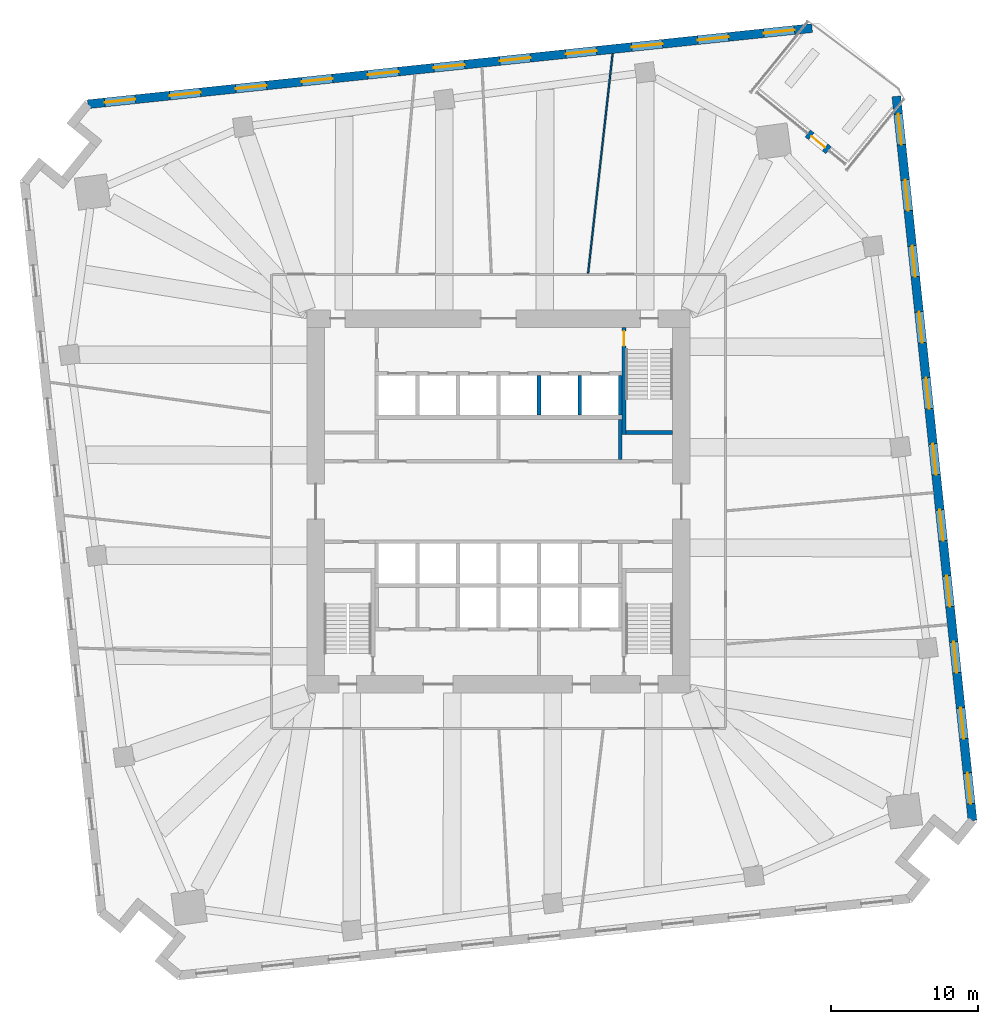
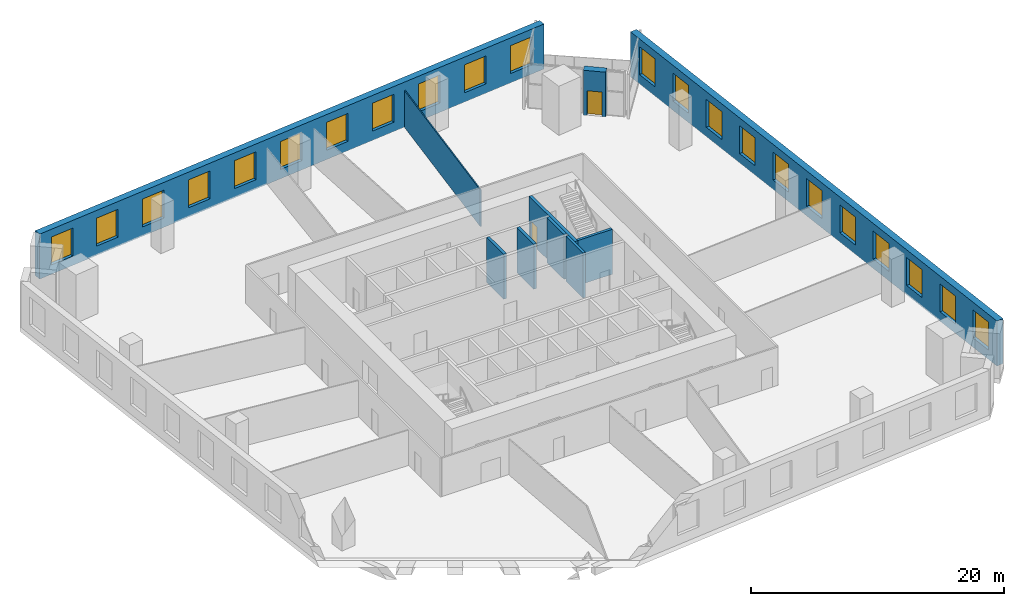
# One storey, part 7 of 10: 22 windows, 10 walls, 2 doors, 24 openings.
"""IFC4 building model written with IfcOpenShell, lengths in metres."""

from ifc_helpers import new_model, si_unit, direction, frame, frame_2d, origin, place, context, subcontext, project, spatial, rectangle, extrude, material, layer, layer_set, type_object, element, fill, save


model = new_model("IFC4")

# Units and contexts
model_context = context("Model", 3, precision=1e-05, world=origin(), true_north=direction((0.0, 1.0)))
body_context = subcontext(model_context, "Body", "Model", "MODEL_VIEW")
ifc_project = project(units=[si_unit("LENGTHUNIT", "METRE"), si_unit("AREAUNIT", "SQUARE_METRE"), si_unit("VOLUMEUNIT", "CUBIC_METRE"), si_unit("PLANEANGLEUNIT", "RADIAN"), si_unit("MASSUNIT", "GRAM", prefix="KILO")], contexts=[model_context])

# Site, building, storey
site_placement = place(None, origin())
site = spatial("IfcSite", under=ifc_project, at=site_placement, CompositionType="ELEMENT")
building_placement = place(site_placement, origin())
building = spatial("IfcBuilding", under=site, at=building_placement, Name="Dilmun Exchange Tower", CompositionType="ELEMENT")
storey_placement = place(building_placement, frame((0.0, 0.0, 36.89990234375)))
storey = spatial("IfcBuildingStorey", under=building, at=storey_placement, Name="L08", CompositionType="ELEMENT", Elevation=36.89990234375)

# Walls
ifc_material_1 = material(Name="Concrete C40/50", Category="concrete")
ifc_layer_1 = layer(ifc_material_1, 0.25)
ifc_layer_set_1 = layer_set([ifc_layer_1], Name="Concrete C40/50")
wall_type_1 = type_object("IfcWallType", Name="Core partition wall 250", PredefinedType="PARTITIONING", material=ifc_layer_set_1)
wall_1_placement = place(storey_placement, frame((8.25, 2.85498046875, 0.0), z_axis=(0.0, 0.0, 1.0), x_axis=(0.0, 1.0, 0.0)))
element("IfcWall", 1, at=wall_1_placement, inside=storey, type_object=wall_type_1, Name="L08 core partition wall 11", PredefinedType="PARTITIONING", context=body_context, shape_type="SweptSolid", body=[
    extrude(rectangle(XDim=2.68994140625, YDim=0.25, at=frame_2d((1.344970703125, 0.0))), origin(), (0.0, 0.0, 1.0), 4.35009765625),
])
ifc_layer_2 = layer(ifc_material_1, 0.25)
ifc_layer_set_2 = layer_set([ifc_layer_2], Name="Concrete C40/50")
wall_type_2 = type_object("IfcWallType", Name="Lift shaft wall 250", PredefinedType="SOLIDWALL", material=ifc_layer_set_2)
for number, where, z_axis, x_axis, name in (
    (2, (2.75, 5.85009765625, 0.0), (0.0, 0.0, 1.0), (0.0, 1.0, 0.0), "L08 lift shaft divider N24"),
    (3, (5.5, 5.85009765625, 0.0), (0.0, 0.0, 1.0), (0.0, 1.0, 0.0), "L08 lift shaft divider N25"),
    (4, (8.25, 5.85009765625, 0.0), (0.0, 0.0, 1.0), (0.0, 1.0, 0.0), "L08 lift shaft divider N26"),
):
    element("IfcWall", number, at=place(storey_placement, frame(where, z_axis=z_axis, x_axis=x_axis)), inside=storey, type_object=wall_type_2, Name=name, PredefinedType="SOLIDWALL", context=body_context, shape_type="SweptSolid", body=[
        extrude(rectangle(XDim=2.699951171875, YDim=0.25, at=frame_2d((1.35009765625, 0.0))), origin(), (0.0, 0.0, 1.0), 4.35009765625),
    ])
ifc_material_2 = material(Name="Partition 100")
ifc_layer_3 = layer(ifc_material_2, 0.10009765625)
ifc_layer_set_3 = layer_set([ifc_layer_3], Name="Partition 100")
wall_type_3 = type_object("IfcWallType", Name="Partition 100", PredefinedType="PARTITIONING", material=ifc_layer_set_3)
wall_2_placement = place(storey_placement, frame((6.073974609375, 15.48046875, 0.0), z_axis=(0.0, 0.0, 1.0), x_axis=(0.110950080777, 0.99382598053, 0.0)))
element("IfcWall", 5, at=wall_2_placement, inside=storey, type_object=wall_type_3, Name="Partition", PredefinedType="PARTITIONING", context=body_context, shape_type="SweptSolid", body=[
    extrude(rectangle(XDim=14.985107421875, YDim=0.10009765625, at=frame_2d((7.49267578125, 0.0))), origin(), (0.0, 0.0, 1.0), 3.550048828125),
])

# Wall, openings, windows
ifc_material_3 = material(Name="Precast concrete C50/60", Category="concrete")
ifc_layer_4 = layer(ifc_material_3, 0.60009765625)
ifc_layer_set_4 = layer_set([ifc_layer_4], Name="Precast concrete C50/60")
wall_type_4 = type_object("IfcWallType", Name="Precast stone-clad wall 600", PredefinedType="STANDARD", material=ifc_layer_set_4)
wall_3_placement = place(storey_placement, frame((21.26123046875, 32.09814453125, 0.0), z_axis=(0.0, 0.0, 1.0), x_axis=(-0.994521967515, -0.104527776833, 0.0)))
wall_3 = element("IfcWall", 6, at=wall_3_placement, inside=storey, type_object=wall_type_4, Name="Facade wall L08-03", PredefinedType="STANDARD", context=body_context, shape_type="SweptSolid", body=[
    extrude(rectangle(XDim=49.375732421875, YDim=0.60009765625, at=frame_2d((24.68798828125, 0.0))), origin(), (0.0, 0.0, 1.0), 4.35009765625),
])
opening_1_placement = place(wall_3_placement, frame((1.199951171875, 0.0, 0.89990234375)))
opening_1 = element("IfcOpeningElement", 7, at=opening_1_placement, cuts=wall_3, Name="Opening W210-270", PredefinedType="OPENING", context=body_context, shape_type="SweptSolid", body=[
    extrude(rectangle(XDim=2.10009765625, YDim=2.699951171875, at=frame_2d((1.050048828125, 1.35009765625))), frame((0.0, 0.31005859375, 0.0), z_axis=(0.0, -1.0, 0.0), x_axis=(1.0, 0.0, 0.0)), (0.0, 0.0, 1.0), 0.6201171875),
])
opening_2_placement = place(wall_3_placement, frame((5.699951171875, 0.0, 0.89990234375)))
opening_2 = element("IfcOpeningElement", 8, at=opening_2_placement, cuts=wall_3, Name="Opening W210-270", PredefinedType="OPENING", context=body_context, shape_type="SweptSolid", body=[
    extrude(rectangle(XDim=2.10009765625, YDim=2.699951171875, at=frame_2d((1.050048828125, 1.35009765625))), frame((0.0, 0.31005859375, 0.0), z_axis=(0.0, -1.0, 0.0), x_axis=(1.0, 0.0, 0.0)), (0.0, 0.0, 1.0), 0.6201171875),
])
opening_3_placement = place(wall_3_placement, frame((10.199951171875, 0.0, 0.89990234375)))
opening_3 = element("IfcOpeningElement", 9, at=opening_3_placement, cuts=wall_3, Name="Opening W210-270", PredefinedType="OPENING", context=body_context, shape_type="SweptSolid", body=[
    extrude(rectangle(XDim=2.10009765625, YDim=2.699951171875, at=frame_2d((1.050048828125, 1.35009765625))), frame((0.0, 0.31005859375, 0.0), z_axis=(0.0, -1.0, 0.0), x_axis=(1.0, 0.0, 0.0)), (0.0, 0.0, 1.0), 0.6201171875),
])
opening_4_placement = place(wall_3_placement, frame((14.699951171875, 0.0, 0.89990234375)))
opening_4 = element("IfcOpeningElement", 10, at=opening_4_placement, cuts=wall_3, Name="Opening W210-270", PredefinedType="OPENING", context=body_context, shape_type="SweptSolid", body=[
    extrude(rectangle(XDim=2.10009765625, YDim=2.699951171875, at=frame_2d((1.050048828125, 1.35009765625))), frame((0.0, 0.31005859375, 0.0), z_axis=(0.0, -1.0, 0.0), x_axis=(1.0, 0.0, 0.0)), (0.0, 0.0, 1.0), 0.6201171875),
])
opening_5_placement = place(wall_3_placement, frame((19.199951171875, 0.0, 0.89990234375)))
opening_5 = element("IfcOpeningElement", 11, at=opening_5_placement, cuts=wall_3, Name="Opening W210-270", PredefinedType="OPENING", context=body_context, shape_type="SweptSolid", body=[
    extrude(rectangle(XDim=2.10009765625, YDim=2.699951171875, at=frame_2d((1.050048828125, 1.35009765625))), frame((0.0, 0.31005859375, 0.0), z_axis=(0.0, -1.0, 0.0), x_axis=(1.0, 0.0, 0.0)), (0.0, 0.0, 1.0), 0.6201171875),
])
opening_6_placement = place(wall_3_placement, frame((23.699951171875, 0.0, 0.89990234375)))
opening_6 = element("IfcOpeningElement", 12, at=opening_6_placement, cuts=wall_3, Name="Opening W210-270", PredefinedType="OPENING", context=body_context, shape_type="SweptSolid", body=[
    extrude(rectangle(XDim=2.10009765625, YDim=2.699951171875, at=frame_2d((1.050048828125, 1.35009765625))), frame((0.0, 0.31005859375, 0.0), z_axis=(0.0, -1.0, 0.0), x_axis=(1.0, 0.0, 0.0)), (0.0, 0.0, 1.0), 0.6201171875),
])
opening_7_placement = place(wall_3_placement, frame((28.199951171875, 0.0, 0.89990234375)))
opening_7 = element("IfcOpeningElement", 13, at=opening_7_placement, cuts=wall_3, Name="Opening W210-270", PredefinedType="OPENING", context=body_context, shape_type="SweptSolid", body=[
    extrude(rectangle(XDim=2.10009765625, YDim=2.699951171875, at=frame_2d((1.050048828125, 1.35009765625))), frame((0.0, 0.31005859375, 0.0), z_axis=(0.0, -1.0, 0.0), x_axis=(1.0, 0.0, 0.0)), (0.0, 0.0, 1.0), 0.6201171875),
])
opening_8_placement = place(wall_3_placement, frame((32.699951171875, 0.0, 0.89990234375)))
opening_8 = element("IfcOpeningElement", 14, at=opening_8_placement, cuts=wall_3, Name="Opening W210-270", PredefinedType="OPENING", context=body_context, shape_type="SweptSolid", body=[
    extrude(rectangle(XDim=2.10009765625, YDim=2.699951171875, at=frame_2d((1.050048828125, 1.35009765625))), frame((0.0, 0.31005859375, 0.0), z_axis=(0.0, -1.0, 0.0), x_axis=(1.0, 0.0, 0.0)), (0.0, 0.0, 1.0), 0.6201171875),
])
opening_9_placement = place(wall_3_placement, frame((37.199951171875, 0.0, 0.89990234375)))
opening_9 = element("IfcOpeningElement", 15, at=opening_9_placement, cuts=wall_3, Name="Opening W210-270", PredefinedType="OPENING", context=body_context, shape_type="SweptSolid", body=[
    extrude(rectangle(XDim=2.10009765625, YDim=2.699951171875, at=frame_2d((1.050048828125, 1.35009765625))), frame((0.0, 0.31005859375, 0.0), z_axis=(0.0, -1.0, 0.0), x_axis=(1.0, 0.0, 0.0)), (0.0, 0.0, 1.0), 0.6201171875),
])
opening_10_placement = place(wall_3_placement, frame((41.699951171875, 0.0, 0.89990234375)))
opening_10 = element("IfcOpeningElement", 16, at=opening_10_placement, cuts=wall_3, Name="Opening W210-270", PredefinedType="OPENING", context=body_context, shape_type="SweptSolid", body=[
    extrude(rectangle(XDim=2.10009765625, YDim=2.699951171875, at=frame_2d((1.050048828125, 1.35009765625))), frame((0.0, 0.31005859375, 0.0), z_axis=(0.0, -1.0, 0.0), x_axis=(1.0, 0.0, 0.0)), (0.0, 0.0, 1.0), 0.6201171875),
])
opening_11_placement = place(wall_3_placement, frame((46.137939453125, 0.0, 0.89990234375)))
opening_11 = element("IfcOpeningElement", 17, at=opening_11_placement, cuts=wall_3, Name="Opening W210-270", PredefinedType="OPENING", context=body_context, shape_type="SweptSolid", body=[
    extrude(rectangle(XDim=2.10009765625, YDim=2.699951171875, at=frame_2d((1.050048828125, 1.35009765625))), frame((0.0, 0.31005859375, 0.0), z_axis=(0.0, -1.0, 0.0), x_axis=(1.0, 0.0, 0.0)), (0.0, 0.0, 1.0), 0.6201171875),
])
ifc_material_4 = material(Name="Clear low-emissivity glass in aluminium frame", Category="aluminium")
window_type = type_object("IfcWindowType", Name="Punched window 2100 x 2700", PartitioningType="DOUBLE_PANEL_VERTICAL", PredefinedType="WINDOW", material=ifc_material_4)
window_1_placement = place(opening_1_placement, origin())
window_1 = element("IfcWindow", 18, at=window_1_placement, inside=storey, type_object=window_type, Name="Window 4.1", OverallHeight=2.699951171875, OverallWidth=2.10009765625, PartitioningType="SINGLE_PANEL", PredefinedType="WINDOW", context=body_context, shape_type="SweptSolid", body=[
    extrude(rectangle(XDim=2.10009765625, YDim=2.699951171875, at=frame_2d((1.050048828125, 1.35009765625))), frame((0.0, 0.030029296875, 0.0), z_axis=(0.0, -1.0, 0.0), x_axis=(1.0, 0.0, 0.0)), (0.0, 0.0, 1.0), 0.06005859375),
])
fill(opening_1, window_1)
window_2_placement = place(opening_2_placement, origin())
window_2 = element("IfcWindow", 19, at=window_2_placement, inside=storey, type_object=window_type, Name="Window 4.2", OverallHeight=2.699951171875, OverallWidth=2.10009765625, PartitioningType="SINGLE_PANEL", PredefinedType="WINDOW", context=body_context, shape_type="SweptSolid", body=[
    extrude(rectangle(XDim=2.10009765625, YDim=2.699951171875, at=frame_2d((1.050048828125, 1.35009765625))), frame((0.0, 0.030029296875, 0.0), z_axis=(0.0, -1.0, 0.0), x_axis=(1.0, 0.0, 0.0)), (0.0, 0.0, 1.0), 0.06005859375),
])
fill(opening_2, window_2)
window_3_placement = place(opening_3_placement, origin())
window_3 = element("IfcWindow", 20, at=window_3_placement, inside=storey, type_object=window_type, Name="Window 4.3", OverallHeight=2.699951171875, OverallWidth=2.10009765625, PartitioningType="SINGLE_PANEL", PredefinedType="WINDOW", context=body_context, shape_type="SweptSolid", body=[
    extrude(rectangle(XDim=2.10009765625, YDim=2.699951171875, at=frame_2d((1.050048828125, 1.35009765625))), frame((0.0, 0.030029296875, 0.0), z_axis=(0.0, -1.0, 0.0), x_axis=(1.0, 0.0, 0.0)), (0.0, 0.0, 1.0), 0.06005859375),
])
fill(opening_3, window_3)
window_4_placement = place(opening_4_placement, origin())
window_4 = element("IfcWindow", 21, at=window_4_placement, inside=storey, type_object=window_type, Name="Window 4.4", OverallHeight=2.699951171875, OverallWidth=2.10009765625, PartitioningType="SINGLE_PANEL", PredefinedType="WINDOW", context=body_context, shape_type="SweptSolid", body=[
    extrude(rectangle(XDim=2.10009765625, YDim=2.699951171875, at=frame_2d((1.050048828125, 1.35009765625))), frame((0.0, 0.030029296875, 0.0), z_axis=(0.0, -1.0, 0.0), x_axis=(1.0, 0.0, 0.0)), (0.0, 0.0, 1.0), 0.06005859375),
])
fill(opening_4, window_4)
window_5_placement = place(opening_5_placement, origin())
window_5 = element("IfcWindow", 22, at=window_5_placement, inside=storey, type_object=window_type, Name="Window 4.5", OverallHeight=2.699951171875, OverallWidth=2.10009765625, PartitioningType="SINGLE_PANEL", PredefinedType="WINDOW", context=body_context, shape_type="SweptSolid", body=[
    extrude(rectangle(XDim=2.10009765625, YDim=2.699951171875, at=frame_2d((1.050048828125, 1.35009765625))), frame((0.0, 0.030029296875, 0.0), z_axis=(0.0, -1.0, 0.0), x_axis=(1.0, 0.0, 0.0)), (0.0, 0.0, 1.0), 0.06005859375),
])
fill(opening_5, window_5)
window_6_placement = place(opening_6_placement, origin())
window_6 = element("IfcWindow", 23, at=window_6_placement, inside=storey, type_object=window_type, Name="Window 4.6", OverallHeight=2.699951171875, OverallWidth=2.10009765625, PartitioningType="SINGLE_PANEL", PredefinedType="WINDOW", context=body_context, shape_type="SweptSolid", body=[
    extrude(rectangle(XDim=2.10009765625, YDim=2.699951171875, at=frame_2d((1.050048828125, 1.35009765625))), frame((0.0, 0.030029296875, 0.0), z_axis=(0.0, -1.0, 0.0), x_axis=(1.0, 0.0, 0.0)), (0.0, 0.0, 1.0), 0.06005859375),
])
fill(opening_6, window_6)
window_7_placement = place(opening_7_placement, origin())
window_7 = element("IfcWindow", 24, at=window_7_placement, inside=storey, type_object=window_type, Name="Window 4.7", OverallHeight=2.699951171875, OverallWidth=2.10009765625, PartitioningType="SINGLE_PANEL", PredefinedType="WINDOW", context=body_context, shape_type="SweptSolid", body=[
    extrude(rectangle(XDim=2.10009765625, YDim=2.699951171875, at=frame_2d((1.050048828125, 1.35009765625))), frame((0.0, 0.030029296875, 0.0), z_axis=(0.0, -1.0, 0.0), x_axis=(1.0, 0.0, 0.0)), (0.0, 0.0, 1.0), 0.06005859375),
])
fill(opening_7, window_7)
window_8_placement = place(opening_8_placement, origin())
window_8 = element("IfcWindow", 25, at=window_8_placement, inside=storey, type_object=window_type, Name="Window 4.8", OverallHeight=2.699951171875, OverallWidth=2.10009765625, PartitioningType="SINGLE_PANEL", PredefinedType="WINDOW", context=body_context, shape_type="SweptSolid", body=[
    extrude(rectangle(XDim=2.10009765625, YDim=2.699951171875, at=frame_2d((1.050048828125, 1.35009765625))), frame((0.0, 0.030029296875, 0.0), z_axis=(0.0, -1.0, 0.0), x_axis=(1.0, 0.0, 0.0)), (0.0, 0.0, 1.0), 0.06005859375),
])
fill(opening_8, window_8)
window_9_placement = place(opening_9_placement, origin())
window_9 = element("IfcWindow", 26, at=window_9_placement, inside=storey, type_object=window_type, Name="Window 4.9", OverallHeight=2.699951171875, OverallWidth=2.10009765625, PartitioningType="SINGLE_PANEL", PredefinedType="WINDOW", context=body_context, shape_type="SweptSolid", body=[
    extrude(rectangle(XDim=2.10009765625, YDim=2.699951171875, at=frame_2d((1.050048828125, 1.35009765625))), frame((0.0, 0.030029296875, 0.0), z_axis=(0.0, -1.0, 0.0), x_axis=(1.0, 0.0, 0.0)), (0.0, 0.0, 1.0), 0.06005859375),
])
fill(opening_9, window_9)
window_10_placement = place(opening_10_placement, origin())
window_10 = element("IfcWindow", 27, at=window_10_placement, inside=storey, type_object=window_type, Name="Window 4.10", OverallHeight=2.699951171875, OverallWidth=2.10009765625, PartitioningType="SINGLE_PANEL", PredefinedType="WINDOW", context=body_context, shape_type="SweptSolid", body=[
    extrude(rectangle(XDim=2.10009765625, YDim=2.699951171875, at=frame_2d((1.050048828125, 1.35009765625))), frame((0.0, 0.030029296875, 0.0), z_axis=(0.0, -1.0, 0.0), x_axis=(1.0, 0.0, 0.0)), (0.0, 0.0, 1.0), 0.06005859375),
])
fill(opening_10, window_10)
window_11_placement = place(opening_11_placement, origin())
window_11 = element("IfcWindow", 28, at=window_11_placement, inside=storey, type_object=window_type, Name="Window 4.11", OverallHeight=2.699951171875, OverallWidth=2.10009765625, PartitioningType="SINGLE_PANEL", PredefinedType="WINDOW", context=body_context, shape_type="SweptSolid", body=[
    extrude(rectangle(XDim=2.10009765625, YDim=2.699951171875, at=frame_2d((1.050048828125, 1.35009765625))), frame((0.0, 0.030029296875, 0.0), z_axis=(0.0, -1.0, 0.0), x_axis=(1.0, 0.0, 0.0)), (0.0, 0.0, 1.0), 0.06005859375),
])
fill(opening_11, window_11)

wall_4_placement = place(storey_placement, frame((32.137451171875, -21.635009765625, 0.0), z_axis=(0.0, 0.0, 1.0), x_axis=(-0.104527776833, 0.994521967515, 0.0)))
wall_4 = element("IfcWall", 29, at=wall_4_placement, inside=storey, type_object=wall_type_4, Name="Facade wall L08-21", PredefinedType="STANDARD", context=body_context, shape_type="SweptSolid", body=[
    extrude(rectangle(XDim=49.375732421875, YDim=0.60009765625, at=frame_2d((24.68798828125, 0.0))), origin(), (0.0, 0.0, 1.0), 4.35009765625),
])
opening_12_placement = place(wall_4_placement, frame((1.137939453125, 0.0, 0.89990234375)))
opening_12 = element("IfcOpeningElement", 30, at=opening_12_placement, cuts=wall_4, Name="Opening W210-270", PredefinedType="OPENING", context=body_context, shape_type="SweptSolid", body=[
    extrude(rectangle(XDim=2.10009765625, YDim=2.699951171875, at=frame_2d((1.050048828125, 1.35009765625))), frame((0.0, 0.31005859375, 0.0), z_axis=(0.0, -1.0, 0.0), x_axis=(1.0, 0.0, 0.0)), (0.0, 0.0, 1.0), 0.6201171875),
])
opening_13_placement = place(wall_4_placement, frame((5.57568359375, 0.0, 0.89990234375)))
opening_13 = element("IfcOpeningElement", 31, at=opening_13_placement, cuts=wall_4, Name="Opening W210-270", PredefinedType="OPENING", context=body_context, shape_type="SweptSolid", body=[
    extrude(rectangle(XDim=2.10009765625, YDim=2.699951171875, at=frame_2d((1.050048828125, 1.35009765625))), frame((0.0, 0.31005859375, 0.0), z_axis=(0.0, -1.0, 0.0), x_axis=(1.0, 0.0, 0.0)), (0.0, 0.0, 1.0), 0.6201171875),
])
opening_14_placement = place(wall_4_placement, frame((10.07568359375, 0.0, 0.89990234375)))
opening_14 = element("IfcOpeningElement", 32, at=opening_14_placement, cuts=wall_4, Name="Opening W210-270", PredefinedType="OPENING", context=body_context, shape_type="SweptSolid", body=[
    extrude(rectangle(XDim=2.10009765625, YDim=2.699951171875, at=frame_2d((1.050048828125, 1.35009765625))), frame((0.0, 0.31005859375, 0.0), z_axis=(0.0, -1.0, 0.0), x_axis=(1.0, 0.0, 0.0)), (0.0, 0.0, 1.0), 0.6201171875),
])
opening_15_placement = place(wall_4_placement, frame((14.57568359375, 0.0, 0.89990234375)))
opening_15 = element("IfcOpeningElement", 33, at=opening_15_placement, cuts=wall_4, Name="Opening W210-270", PredefinedType="OPENING", context=body_context, shape_type="SweptSolid", body=[
    extrude(rectangle(XDim=2.10009765625, YDim=2.699951171875, at=frame_2d((1.050048828125, 1.35009765625))), frame((0.0, 0.31005859375, 0.0), z_axis=(0.0, -1.0, 0.0), x_axis=(1.0, 0.0, 0.0)), (0.0, 0.0, 1.0), 0.6201171875),
])
opening_16_placement = place(wall_4_placement, frame((19.07568359375, 0.0, 0.89990234375)))
opening_16 = element("IfcOpeningElement", 34, at=opening_16_placement, cuts=wall_4, Name="Opening W210-270", PredefinedType="OPENING", context=body_context, shape_type="SweptSolid", body=[
    extrude(rectangle(XDim=2.10009765625, YDim=2.699951171875, at=frame_2d((1.050048828125, 1.35009765625))), frame((0.0, 0.31005859375, 0.0), z_axis=(0.0, -1.0, 0.0), x_axis=(1.0, 0.0, 0.0)), (0.0, 0.0, 1.0), 0.6201171875),
])
opening_17_placement = place(wall_4_placement, frame((23.57568359375, 0.0, 0.89990234375)))
opening_17 = element("IfcOpeningElement", 35, at=opening_17_placement, cuts=wall_4, Name="Opening W210-270", PredefinedType="OPENING", context=body_context, shape_type="SweptSolid", body=[
    extrude(rectangle(XDim=2.10009765625, YDim=2.699951171875, at=frame_2d((1.050048828125, 1.35009765625))), frame((0.0, 0.31005859375, 0.0), z_axis=(0.0, -1.0, 0.0), x_axis=(1.0, 0.0, 0.0)), (0.0, 0.0, 1.0), 0.6201171875),
])
opening_18_placement = place(wall_4_placement, frame((28.07568359375, 0.0, 0.89990234375)))
opening_18 = element("IfcOpeningElement", 36, at=opening_18_placement, cuts=wall_4, Name="Opening W210-270", PredefinedType="OPENING", context=body_context, shape_type="SweptSolid", body=[
    extrude(rectangle(XDim=2.10009765625, YDim=2.699951171875, at=frame_2d((1.050048828125, 1.35009765625))), frame((0.0, 0.31005859375, 0.0), z_axis=(0.0, -1.0, 0.0), x_axis=(1.0, 0.0, 0.0)), (0.0, 0.0, 1.0), 0.6201171875),
])
opening_19_placement = place(wall_4_placement, frame((32.57568359375, 0.0, 0.89990234375)))
opening_19 = element("IfcOpeningElement", 37, at=opening_19_placement, cuts=wall_4, Name="Opening W210-270", PredefinedType="OPENING", context=body_context, shape_type="SweptSolid", body=[
    extrude(rectangle(XDim=2.10009765625, YDim=2.699951171875, at=frame_2d((1.050048828125, 1.35009765625))), frame((0.0, 0.31005859375, 0.0), z_axis=(0.0, -1.0, 0.0), x_axis=(1.0, 0.0, 0.0)), (0.0, 0.0, 1.0), 0.6201171875),
])
opening_20_placement = place(wall_4_placement, frame((37.07568359375, 0.0, 0.89990234375)))
opening_20 = element("IfcOpeningElement", 38, at=opening_20_placement, cuts=wall_4, Name="Opening W210-270", PredefinedType="OPENING", context=body_context, shape_type="SweptSolid", body=[
    extrude(rectangle(XDim=2.10009765625, YDim=2.699951171875, at=frame_2d((1.050048828125, 1.35009765625))), frame((0.0, 0.31005859375, 0.0), z_axis=(0.0, -1.0, 0.0), x_axis=(1.0, 0.0, 0.0)), (0.0, 0.0, 1.0), 0.6201171875),
])
opening_21_placement = place(wall_4_placement, frame((41.57568359375, 0.0, 0.89990234375)))
opening_21 = element("IfcOpeningElement", 39, at=opening_21_placement, cuts=wall_4, Name="Opening W210-270", PredefinedType="OPENING", context=body_context, shape_type="SweptSolid", body=[
    extrude(rectangle(XDim=2.10009765625, YDim=2.699951171875, at=frame_2d((1.050048828125, 1.35009765625))), frame((0.0, 0.31005859375, 0.0), z_axis=(0.0, -1.0, 0.0), x_axis=(1.0, 0.0, 0.0)), (0.0, 0.0, 1.0), 0.6201171875),
])
opening_22_placement = place(wall_4_placement, frame((46.07568359375, 0.0, 0.89990234375)))
opening_22 = element("IfcOpeningElement", 40, at=opening_22_placement, cuts=wall_4, Name="Opening W210-270", PredefinedType="OPENING", context=body_context, shape_type="SweptSolid", body=[
    extrude(rectangle(XDim=2.10009765625, YDim=2.699951171875, at=frame_2d((1.050048828125, 1.35009765625))), frame((0.0, 0.31005859375, 0.0), z_axis=(0.0, -1.0, 0.0), x_axis=(1.0, 0.0, 0.0)), (0.0, 0.0, 1.0), 0.6201171875),
])
window_12_placement = place(opening_12_placement, origin())
window_12 = element("IfcWindow", 41, at=window_12_placement, inside=storey, type_object=window_type, Name="Window 22.1", OverallHeight=2.699951171875, OverallWidth=2.10009765625, PartitioningType="SINGLE_PANEL", PredefinedType="WINDOW", context=body_context, shape_type="SweptSolid", body=[
    extrude(rectangle(XDim=2.10009765625, YDim=2.699951171875, at=frame_2d((1.050048828125, 1.35009765625))), frame((0.0, 0.030029296875, 0.0), z_axis=(0.0, -1.0, 0.0), x_axis=(1.0, 0.0, 0.0)), (0.0, 0.0, 1.0), 0.06005859375),
])
fill(opening_12, window_12)
window_13_placement = place(opening_13_placement, origin())
window_13 = element("IfcWindow", 42, at=window_13_placement, inside=storey, type_object=window_type, Name="Window 22.2", OverallHeight=2.699951171875, OverallWidth=2.10009765625, PartitioningType="SINGLE_PANEL", PredefinedType="WINDOW", context=body_context, shape_type="SweptSolid", body=[
    extrude(rectangle(XDim=2.10009765625, YDim=2.699951171875, at=frame_2d((1.050048828125, 1.35009765625))), frame((0.0, 0.030029296875, 0.0), z_axis=(0.0, -1.0, 0.0), x_axis=(1.0, 0.0, 0.0)), (0.0, 0.0, 1.0), 0.06005859375),
])
fill(opening_13, window_13)
window_14_placement = place(opening_14_placement, origin())
window_14 = element("IfcWindow", 43, at=window_14_placement, inside=storey, type_object=window_type, Name="Window 22.3", OverallHeight=2.699951171875, OverallWidth=2.10009765625, PartitioningType="SINGLE_PANEL", PredefinedType="WINDOW", context=body_context, shape_type="SweptSolid", body=[
    extrude(rectangle(XDim=2.10009765625, YDim=2.699951171875, at=frame_2d((1.050048828125, 1.35009765625))), frame((0.0, 0.030029296875, 0.0), z_axis=(0.0, -1.0, 0.0), x_axis=(1.0, 0.0, 0.0)), (0.0, 0.0, 1.0), 0.06005859375),
])
fill(opening_14, window_14)
window_15_placement = place(opening_15_placement, origin())
window_15 = element("IfcWindow", 44, at=window_15_placement, inside=storey, type_object=window_type, Name="Window 22.4", OverallHeight=2.699951171875, OverallWidth=2.10009765625, PartitioningType="SINGLE_PANEL", PredefinedType="WINDOW", context=body_context, shape_type="SweptSolid", body=[
    extrude(rectangle(XDim=2.10009765625, YDim=2.699951171875, at=frame_2d((1.050048828125, 1.35009765625))), frame((0.0, 0.030029296875, 0.0), z_axis=(0.0, -1.0, 0.0), x_axis=(1.0, 0.0, 0.0)), (0.0, 0.0, 1.0), 0.06005859375),
])
fill(opening_15, window_15)
window_16_placement = place(opening_16_placement, origin())
window_16 = element("IfcWindow", 45, at=window_16_placement, inside=storey, type_object=window_type, Name="Window 22.5", OverallHeight=2.699951171875, OverallWidth=2.10009765625, PartitioningType="SINGLE_PANEL", PredefinedType="WINDOW", context=body_context, shape_type="SweptSolid", body=[
    extrude(rectangle(XDim=2.10009765625, YDim=2.699951171875, at=frame_2d((1.050048828125, 1.35009765625))), frame((0.0, 0.030029296875, 0.0), z_axis=(0.0, -1.0, 0.0), x_axis=(1.0, 0.0, 0.0)), (0.0, 0.0, 1.0), 0.06005859375),
])
fill(opening_16, window_16)
window_17_placement = place(opening_17_placement, origin())
window_17 = element("IfcWindow", 46, at=window_17_placement, inside=storey, type_object=window_type, Name="Window 22.6", OverallHeight=2.699951171875, OverallWidth=2.10009765625, PartitioningType="SINGLE_PANEL", PredefinedType="WINDOW", context=body_context, shape_type="SweptSolid", body=[
    extrude(rectangle(XDim=2.10009765625, YDim=2.699951171875, at=frame_2d((1.050048828125, 1.35009765625))), frame((0.0, 0.030029296875, 0.0), z_axis=(0.0, -1.0, 0.0), x_axis=(1.0, 0.0, 0.0)), (0.0, 0.0, 1.0), 0.06005859375),
])
fill(opening_17, window_17)
window_18_placement = place(opening_18_placement, origin())
window_18 = element("IfcWindow", 47, at=window_18_placement, inside=storey, type_object=window_type, Name="Window 22.7", OverallHeight=2.699951171875, OverallWidth=2.10009765625, PartitioningType="SINGLE_PANEL", PredefinedType="WINDOW", context=body_context, shape_type="SweptSolid", body=[
    extrude(rectangle(XDim=2.10009765625, YDim=2.699951171875, at=frame_2d((1.050048828125, 1.35009765625))), frame((0.0, 0.030029296875, 0.0), z_axis=(0.0, -1.0, 0.0), x_axis=(1.0, 0.0, 0.0)), (0.0, 0.0, 1.0), 0.06005859375),
])
fill(opening_18, window_18)
window_19_placement = place(opening_19_placement, origin())
window_19 = element("IfcWindow", 48, at=window_19_placement, inside=storey, type_object=window_type, Name="Window 22.8", OverallHeight=2.699951171875, OverallWidth=2.10009765625, PartitioningType="SINGLE_PANEL", PredefinedType="WINDOW", context=body_context, shape_type="SweptSolid", body=[
    extrude(rectangle(XDim=2.10009765625, YDim=2.699951171875, at=frame_2d((1.050048828125, 1.35009765625))), frame((0.0, 0.030029296875, 0.0), z_axis=(0.0, -1.0, 0.0), x_axis=(1.0, 0.0, 0.0)), (0.0, 0.0, 1.0), 0.06005859375),
])
fill(opening_19, window_19)
window_20_placement = place(opening_20_placement, origin())
window_20 = element("IfcWindow", 49, at=window_20_placement, inside=storey, type_object=window_type, Name="Window 22.9", OverallHeight=2.699951171875, OverallWidth=2.10009765625, PartitioningType="SINGLE_PANEL", PredefinedType="WINDOW", context=body_context, shape_type="SweptSolid", body=[
    extrude(rectangle(XDim=2.10009765625, YDim=2.699951171875, at=frame_2d((1.050048828125, 1.35009765625))), frame((0.0, 0.030029296875, 0.0), z_axis=(0.0, -1.0, 0.0), x_axis=(1.0, 0.0, 0.0)), (0.0, 0.0, 1.0), 0.06005859375),
])
fill(opening_20, window_20)
window_21_placement = place(opening_21_placement, origin())
window_21 = element("IfcWindow", 50, at=window_21_placement, inside=storey, type_object=window_type, Name="Window 22.10", OverallHeight=2.699951171875, OverallWidth=2.10009765625, PartitioningType="SINGLE_PANEL", PredefinedType="WINDOW", context=body_context, shape_type="SweptSolid", body=[
    extrude(rectangle(XDim=2.10009765625, YDim=2.699951171875, at=frame_2d((1.050048828125, 1.35009765625))), frame((0.0, 0.030029296875, 0.0), z_axis=(0.0, -1.0, 0.0), x_axis=(1.0, 0.0, 0.0)), (0.0, 0.0, 1.0), 0.06005859375),
])
fill(opening_21, window_21)
window_22_placement = place(opening_22_placement, origin())
window_22 = element("IfcWindow", 51, at=window_22_placement, inside=storey, type_object=window_type, Name="Window 22.11", OverallHeight=2.699951171875, OverallWidth=2.10009765625, PartitioningType="SINGLE_PANEL", PredefinedType="WINDOW", context=body_context, shape_type="SweptSolid", body=[
    extrude(rectangle(XDim=2.10009765625, YDim=2.699951171875, at=frame_2d((1.050048828125, 1.35009765625))), frame((0.0, 0.030029296875, 0.0), z_axis=(0.0, -1.0, 0.0), x_axis=(1.0, 0.0, 0.0)), (0.0, 0.0, 1.0), 0.06005859375),
])
fill(opening_22, window_22)

# Wall, opening, door
wall_5_placement = place(storey_placement, frame((22.375244140625, 23.8173828125, 0.0), z_axis=(0.0, 0.0, 1.0), x_axis=(-0.777150107882, 0.629315270606, 0.0)))
wall_5 = element("IfcWall", 52, at=wall_5_placement, inside=storey, type_object=wall_type_4, Name="Facade wall L08-01-D", PredefinedType="STANDARD", context=body_context, shape_type="SweptSolid", body=[
    extrude(rectangle(XDim=1.800048828125, YDim=0.60009765625, at=frame_2d((0.89990234375, 0.0))), origin(), (0.0, 0.0, 1.0), 4.35009765625),
])
opening_23_placement = place(wall_5_placement, frame((0.300048828125, 0.0, 0.0)))
opening_23 = element("IfcOpeningElement", 53, at=opening_23_placement, cuts=wall_5, Name="Opening GD-1", PredefinedType="OPENING", context=body_context, shape_type="SweptSolid", body=[
    extrude(rectangle(XDim=1.199951171875, YDim=2.39990234375, at=frame_2d((0.60009765625, 1.199951171875))), frame((0.0, 0.31005859375, 0.0), z_axis=(0.0, -1.0, 0.0), x_axis=(1.0, 0.0, 0.0)), (0.0, 0.0, 1.0), 0.6201171875),
])
door_type_1 = type_object("IfcDoorType", Name="Glazed garden door 1200 x 2400", OperationType="SINGLE_SWING_LEFT", PredefinedType="DOOR", material=ifc_material_4)
door_1_placement = place(opening_23_placement, origin())
door_1 = element("IfcDoor", 54, at=door_1_placement, inside=storey, type_object=door_type_1, Name="Garden terrace door", OperationType="SINGLE_SWING_LEFT", OverallHeight=2.39990234375, OverallWidth=1.199951171875, PredefinedType="DOOR", context=body_context, shape_type="SweptSolid", body=[
    extrude(rectangle(XDim=1.199951171875, YDim=2.39990234375, at=frame_2d((0.60009765625, 1.199951171875))), frame((0.0, 0.02490234375, 0.0), z_axis=(0.0, -1.0, 0.0), x_axis=(1.0, 0.0, 0.0)), (0.0, 0.0, 1.0), 0.050048828125),
])
fill(opening_23, door_1)

# Wall
ifc_layer_5 = layer(ifc_material_1, 0.25)
ifc_layer_set_5 = layer_set([ifc_layer_5], Name="Concrete C40/50")
wall_type_5 = type_object("IfcWallType", Name="Stair end wall 250", PredefinedType="SOLIDWALL", material=ifc_layer_set_5)
wall_6_placement = place(storey_placement, frame((8.64990234375, 4.675048828125, 0.0), z_axis=(0.0, 0.0, 1.0), x_axis=(1.0, 0.0, 0.0)))
element("IfcWall", 55, at=wall_6_placement, inside=storey, type_object=wall_type_5, Name="L08 ST1 far wall", PredefinedType="SOLIDWALL", context=body_context, shape_type="SweptSolid", body=[
    extrude(rectangle(XDim=3.150146484375, YDim=0.25, at=frame_2d((1.5751953125, 0.0))), origin(), (0.0, 0.0, 1.0), 4.35009765625),
])

# Wall, opening, door
ifc_layer_6 = layer(ifc_material_1, 0.27490234375)
ifc_layer_set_6 = layer_set([ifc_layer_6], Name="Concrete C40/50")
wall_type_6 = type_object("IfcWallType", Name="Stair wall 275", PredefinedType="SOLIDWALL", material=ifc_layer_set_6)
wall_7_placement = place(storey_placement, frame((8.512451171875, 4.550048828125, 0.0), z_axis=(0.0, 0.0, 1.0), x_axis=(0.0, 1.0, 0.0)))
wall_7 = element("IfcWall", 56, at=wall_7_placement, inside=storey, type_object=wall_type_6, Name="L08 ST1 wall to lift block", PredefinedType="SOLIDWALL", context=body_context, shape_type="SweptSolid", body=[
    extrude(rectangle(XDim=7.25, YDim=0.27490234375, at=frame_2d((3.625, 0.0))), origin(), (0.0, 0.0, 1.0), 4.35009765625),
])
opening_24_placement = place(wall_7_placement, frame((6.0, 0.0, 0.0)))
opening_24 = element("IfcOpeningElement", 57, at=opening_24_placement, cuts=wall_7, Name="Opening CD4", PredefinedType="OPENING", context=body_context, shape_type="SweptSolid", body=[
    extrude(rectangle(XDim=1.0, YDim=2.10009765625, at=frame_2d((0.5, 1.050048828125))), frame((0.0, 0.1474609375, 0.0), z_axis=(0.0, -1.0, 0.0), x_axis=(1.0, 0.0, 0.0)), (0.0, 0.0, 1.0), 0.294921875),
])
ifc_material_5 = material(Name="Fire-rated steel door set", Category="steel")
door_type_2 = type_object("IfcDoorType", Name="Core room door 1000x2100", OperationType="SINGLE_SWING_LEFT", PredefinedType="DOOR", material=ifc_material_5)
door_2_placement = place(opening_24_placement, origin())
door_2 = element("IfcDoor", 58, at=door_2_placement, inside=storey, type_object=door_type_2, Name="L08 door ST1 from lobby", OperationType="SINGLE_SWING_LEFT", OverallHeight=2.10009765625, OverallWidth=1.0, PredefinedType="DOOR", context=body_context, shape_type="SweptSolid", body=[
    extrude(rectangle(XDim=1.0, YDim=2.10009765625, at=frame_2d((0.5, 1.050048828125))), frame((0.0, 0.02490234375, 0.0), z_axis=(0.0, -1.0, 0.0), x_axis=(1.0, 0.0, 0.0)), (0.0, 0.0, 1.0), 0.050048828125),
])
fill(opening_24, door_2)

save(model, "model.ifc")
